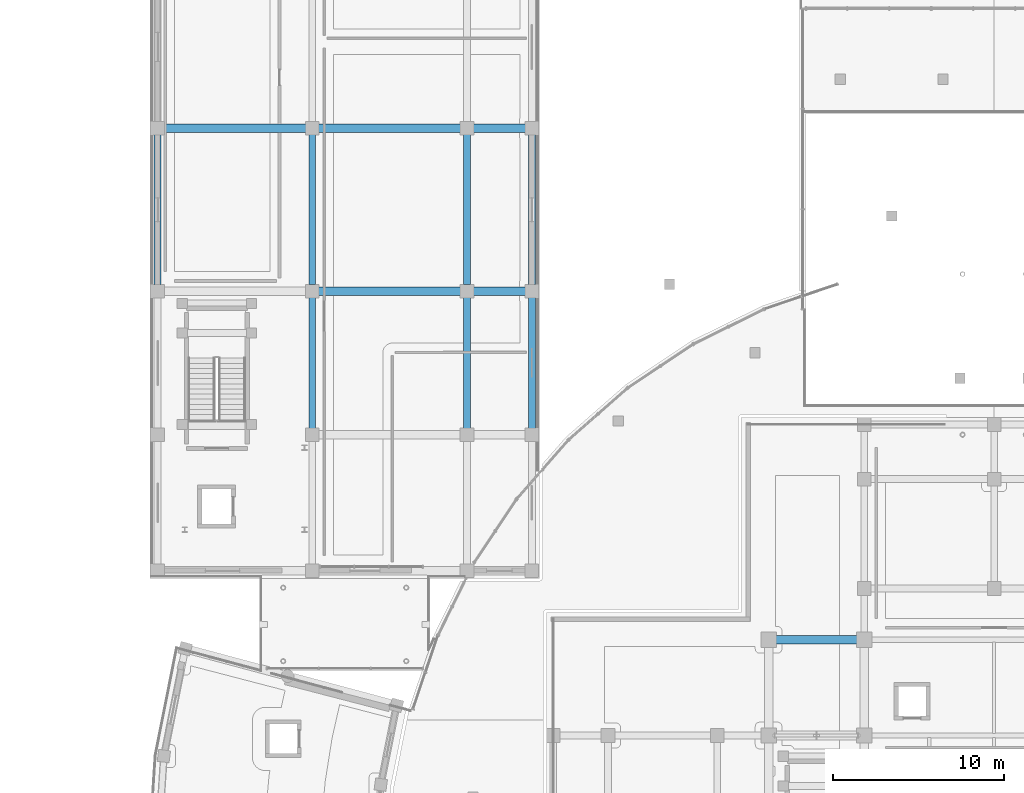
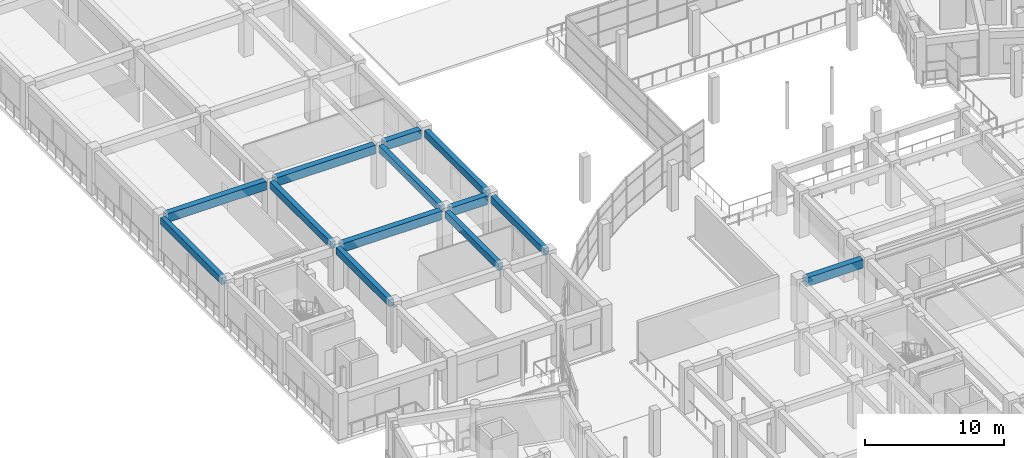
# One storey, part 29 of 87: 13 beams.
"""IFC4 building model written with IfcOpenShell, lengths in metres."""

import ifcopenshell
import ifcopenshell.guid

model = None  # the IFC model being written
_history = None  # IfcOwnerHistory: only IFC2X3 demands one
_inside = {}  # id of a spatial element -> (the spatial element, [elements in it])
_under = {}  # id of a project, library or spatial element -> (it, [spatial elements below it])
_declared = {}  # id of a project -> (the project, [libraries it declares])
_typed = {}  # id of a type object -> (the type object, [elements of that type])
_made_of = {}  # id of a material, layer set ... -> (it, [elements and type objects made of it])


def new_model(schema):
    """Start an empty IFC model of exactly this schema.

    Asked for "IFC4X3", IfcOpenShell would pick the latest addendum, in which some entities
    have other attributes; the version numbers below select the first issue.
    IFC2X3 requires an IfcOwnerHistory on every rooted entity: one is made here for all.
    """
    global model, _history
    if schema == "IFC4X3":
        model = ifcopenshell.file(schema_version=(4, 3, 0, 0))
    else:
        model = ifcopenshell.file(schema=schema)
    _inside.clear()
    _under.clear()
    _declared.clear()
    _typed.clear()
    _made_of.clear()
    _history = None
    if model.schema == "IFC2X3":
        org = make("IfcOrganization", Name="unknown")
        user = make(
            "IfcPersonAndOrganization",
            ThePerson=make("IfcPerson", FamilyName="unknown"),
            TheOrganization=org,
        )
        app = make(
            "IfcApplication",
            ApplicationDeveloper=org,
            Version="unknown",
            ApplicationFullName="unknown",
            ApplicationIdentifier="unknown",
        )
        _history = make(
            "IfcOwnerHistory",
            OwningUser=user,
            OwningApplication=app,
            ChangeAction="ADDED",
            CreationDate=0,
        )
    return model


def make(cls, **values):
    """One entity of the class cls with the attributes given. An attribute that is None is left unset."""
    return model.create_entity(
        cls, **{name: value for name, value in values.items() if value is not None}
    )


def rooted(cls, **values):
    """An entity with a GlobalId (a new one), such as an element, a storey or a relation."""
    return make(cls, GlobalId=ifcopenshell.guid.new(), OwnerHistory=_history, **values)


def si_unit(unit_type, name, prefix=None):
    """IfcSIUnit, for example si_unit("LENGTHUNIT", "METRE", prefix="MILLI")."""
    return make("IfcSIUnit", UnitType=unit_type, Prefix=prefix, Name=name)


def assignment(units):
    """IfcUnitAssignment: the units of a project."""
    return None if units is None else make("IfcUnitAssignment", Units=units)


def point(xyz):
    """IfcCartesianPoint."""
    return None if xyz is None else make("IfcCartesianPoint", Coordinates=xyz)


def direction(xyz):
    """IfcDirection."""
    return None if xyz is None else make("IfcDirection", DirectionRatios=xyz)


def frame(location, z_axis=None, x_axis=None):
    """IfcAxis2Placement3D, a coordinate frame: its origin and axes. An axis left out is left unset."""
    return make(
        "IfcAxis2Placement3D",
        Location=point(location),
        Axis=direction(z_axis),
        RefDirection=direction(x_axis),
    )


def frame_2d(location, x_axis=None):
    """IfcAxis2Placement2D, a coordinate frame in the plane: its origin and x axis."""
    return make(
        "IfcAxis2Placement2D", Location=point(location), RefDirection=direction(x_axis)
    )


def origin():
    """The frame at (0, 0, 0) with its axes left unset."""
    return frame((0.0, 0.0, 0.0))


def origin_2d():
    """The frame at (0, 0) in the plane with its x axis left unset."""
    return frame_2d((0.0, 0.0))


def place(relative_to, where):
    """IfcLocalPlacement: puts the frame where relative to a parent placement (None: the world)."""
    return make(
        "IfcLocalPlacement", PlacementRelTo=relative_to, RelativePlacement=where
    )


def context(
    kind, dimensions, precision=None, world=None, true_north=None, identifier=None
):
    """IfcGeometricRepresentationContext, for example the 3D "Model" context."""
    return make(
        "IfcGeometricRepresentationContext",
        ContextIdentifier=identifier,
        ContextType=kind,
        CoordinateSpaceDimension=dimensions,
        Precision=precision,
        WorldCoordinateSystem=world,
        TrueNorth=true_north,
    )


def subcontext(parent, identifier, kind, view, scale=None):
    """IfcGeometricRepresentationSubContext, for example "Body" below "Model"."""
    return make(
        "IfcGeometricRepresentationSubContext",
        ContextIdentifier=identifier,
        ContextType=kind,
        ParentContext=parent,
        TargetScale=scale,
        TargetView=view,
    )


def project(units=None, contexts=None):
    """IfcProject with its units and contexts."""
    return rooted(
        "IfcProject",
        Name="project",
        RepresentationContexts=contexts,
        UnitsInContext=assignment(units),
    )


def spatial(cls, under=None, at=None, **own):
    """A site, building, storey or space (cls), placed at a placement, below another one or the project."""
    s = rooted(cls, ObjectPlacement=at, **own)
    if under is not None:
        _under.setdefault(under.id(), (under, []))[1].append(s)
    return s


def profile(cls, at=None, kind="AREA", **sizes):
    """A parametric profile (cls). Its sizes go by their IFC names, for example OverallWidth=200.0."""
    return make(cls, ProfileType=kind, Position=at, **sizes)


def rectangle(**sizes):
    """IfcRectangleProfileDef."""
    return profile("IfcRectangleProfileDef", **sizes)


def extrude(swept, where, along, depth):
    """IfcExtrudedAreaSolid: the profile swept, set in the frame where, extruded along a direction by depth."""
    return make(
        "IfcExtrudedAreaSolid",
        SweptArea=swept,
        Position=where,
        ExtrudedDirection=direction(along),
        Depth=depth,
    )


def shape(context_of_items, identifier, shape_type, items):
    """IfcShapeRepresentation: the items that make up one representation, for example the "Body"."""
    return make(
        "IfcShapeRepresentation",
        ContextOfItems=context_of_items,
        RepresentationIdentifier=identifier,
        RepresentationType=shape_type,
        Items=items,
    )


def material(Name=None, Category=None):
    """IfcMaterial."""
    return make("IfcMaterial", Name=Name, Category=Category)


def material_profile(
    of_material, cross_section, Name=None, Category=None, Priority=None
):
    """IfcMaterialProfile: a cross section and its material."""
    return make(
        "IfcMaterialProfile",
        Name=Name,
        Material=of_material,
        Profile=cross_section,
        Priority=Priority,
        Category=Category,
    )


def profile_set(profiles, Name=None, composite=None):
    """IfcMaterialProfileSet."""
    return make(
        "IfcMaterialProfileSet",
        Name=Name,
        MaterialProfiles=profiles,
        CompositeProfile=composite,
    )


def made_of(thing, what):
    """Note that an element or type object is made of a material, layer set ...; save() writes the relation."""
    if what is not None:
        _made_of.setdefault(what.id(), (what, []))[1].append(thing)
    return thing


def type_object(cls, material=None, **own):
    """A type object (cls), such as IfcWallType, which elements share."""
    return made_of(rooted(cls, **own), material)


def element(
    cls,
    number,
    at=None,
    inside=None,
    cuts=None,
    type_object=None,
    material=None,
    context=None,
    identifier="Body",
    shape_type=None,
    held_by="IfcProductDefinitionShape",
    body=None,
    shapes=None,
    **own,
):
    """One element of the class cls, such as IfcWall. Its Tag is "e" and its number.

    at: its placement. inside: the storey or other place that contains it. cuts: it is an
    opening in that element (IfcRelVoidsElement). A single representation is given by context,
    identifier, shape_type and body (its items); several are given by shapes. held_by: the class
    of the entity that holds the representations. save() writes the other relations.
    """
    e = rooted(cls, Tag="e%d" % number, ObjectPlacement=at, **own)
    if body is not None:
        shapes = [shape(context, identifier, shape_type, body)]
    if shapes is not None:
        e.Representation = make(held_by, Representations=shapes)
    if inside is not None:
        _inside.setdefault(inside.id(), (inside, []))[1].append(e)
    if cuts is not None:
        rooted(
            "IfcRelVoidsElement", RelatingBuildingElement=cuts, RelatedOpeningElement=e
        )
    if type_object is not None:
        _typed.setdefault(type_object.id(), (type_object, []))[1].append(e)
    return made_of(e, material)


def aggregate(whole, parts):
    """IfcRelAggregates: a whole, such as a stair, and the parts it consists of."""
    return rooted("IfcRelAggregates", RelatingObject=whole, RelatedObjects=parts)


def save(model, path):
    """Write the relations noted so far, then the file.

    IfcRelAggregates (storeys below a building ...), IfcRelContainedInSpatialStructure (elements
    in a storey), IfcRelDefinesByType, IfcRelAssociatesMaterial and IfcRelDeclares: one each for
    every whole, place, type object, material and project.
    """
    for whole, parts in _under.values():
        aggregate(whole, parts)
    for where, things in _inside.values():
        rooted(
            "IfcRelContainedInSpatialStructure",
            RelatedElements=things,
            RelatingStructure=where,
        )
    for kind, things in _typed.values():
        rooted("IfcRelDefinesByType", RelatedObjects=things, RelatingType=kind)
    for what, things in _made_of.values():
        rooted("IfcRelAssociatesMaterial", RelatedObjects=things, RelatingMaterial=what)
    for by, libraries in _declared.values():
        rooted("IfcRelDeclares", RelatingContext=by, RelatedDefinitions=libraries)
    model.write(path)


model = new_model("IFC4")

# Units and contexts
model_context = context("Model", 3, precision=1e-05, world=origin(), true_north=direction((0.0, 1.0)))
body_context = subcontext(model_context, "Body", "Model", "MODEL_VIEW")
ifc_project = project(units=[si_unit("LENGTHUNIT", "METRE"), si_unit("AREAUNIT", "SQUARE_METRE"), si_unit("VOLUMEUNIT", "CUBIC_METRE"), si_unit("PLANEANGLEUNIT", "RADIAN"), si_unit("MASSUNIT", "GRAM", prefix="KILO")], contexts=[model_context])

# Site, building, storey
site_placement = place(None, origin())
site = spatial("IfcSite", under=ifc_project, at=site_placement, CompositionType="ELEMENT")
building_placement = place(site_placement, origin())
building = spatial("IfcBuilding", under=site, at=building_placement, Name="Saryqyr Civic Hall", CompositionType="ELEMENT")
storey_placement = place(building_placement, frame((0.0, 0.0, 5.10009765625)))
storey = spatial("IfcBuildingStorey", under=building, at=storey_placement, Name="L01", CompositionType="ELEMENT", Elevation=5.10009765625)

# Beams
ifc_material_1 = material(Name="Concrete C35/45", Category="concrete")
ifc_material_profile_1 = material_profile(ifc_material_1, rectangle(XDim=0.39990234375, YDim=0.60009765625, at=origin_2d()), Name="RC 400x600")
ifc_profile_set_1 = profile_set([ifc_material_profile_1], Name="Concrete C35/45")
beam_type_1 = type_object("IfcBeamType", Name="STR-BM-RC400x600", PredefinedType="BEAM", material=ifc_profile_set_1)
beam_1_placement = place(storey_placement, frame((8.050048828125, 117.97509765625, 3.469970703125), z_axis=(0.0, 1.0, 0.0), x_axis=(-1.0, 0.0, 0.0)))
element("IfcBeam", 1, at=beam_1_placement, inside=storey, type_object=beam_type_1, Name="Beam V3-BM-NS-1-3-L01", PredefinedType="BEAM", context=body_context, shape_type="SweptSolid", body=[
    extrude(rectangle(XDim=0.39990234375, YDim=0.60009765625, at=origin_2d()), origin(), (0.0, 0.0, 1.0), 8.77978515625),
])
beam_2_placement = place(storey_placement, frame((17.10009765625, 109.574951171875, 3.469970703125), z_axis=(0.0, 1.0, 0.0), x_axis=(-1.0, 0.0, 0.0)))
element("IfcBeam", 2, at=beam_2_placement, inside=storey, type_object=beam_type_1, Name="Beam V3-BM-NS-2-2-L01", PredefinedType="BEAM", context=body_context, shape_type="SweptSolid", body=[
    extrude(rectangle(XDim=0.39990234375, YDim=0.60009765625, at=origin_2d()), origin(), (0.0, 0.0, 1.0), 7.650146484375),
])
beam_3_placement = place(storey_placement, frame((17.10009765625, 117.97509765625, 3.469970703125), z_axis=(0.0, 1.0, 0.0), x_axis=(-1.0, 0.0, 0.0)))
element("IfcBeam", 3, at=beam_3_placement, inside=storey, type_object=beam_type_1, Name="Beam V3-BM-NS-2-3-L01", PredefinedType="BEAM", context=body_context, shape_type="SweptSolid", body=[
    extrude(rectangle(XDim=0.39990234375, YDim=0.60009765625, at=origin_2d()), origin(), (0.0, 0.0, 1.0), 8.77978515625),
])
beam_4_placement = place(storey_placement, frame((26.14990234375, 109.574951171875, 3.469970703125), z_axis=(0.0, 1.0, 0.0), x_axis=(-1.0, 0.0, 0.0)))
element("IfcBeam", 4, at=beam_4_placement, inside=storey, type_object=beam_type_1, Name="Beam V3-BM-NS-3-2-L01", PredefinedType="BEAM", context=body_context, shape_type="SweptSolid", body=[
    extrude(rectangle(XDim=0.39990234375, YDim=0.60009765625, at=origin_2d()), origin(), (0.0, 0.0, 1.0), 7.650146484375),
])
beam_5_placement = place(storey_placement, frame((26.14990234375, 117.97509765625, 3.469970703125), z_axis=(0.0, 1.0, 0.0), x_axis=(-1.0, 0.0, 0.0)))
element("IfcBeam", 5, at=beam_5_placement, inside=storey, type_object=beam_type_1, Name="Beam V3-BM-NS-3-3-L01", PredefinedType="BEAM", context=body_context, shape_type="SweptSolid", body=[
    extrude(rectangle(XDim=0.39990234375, YDim=0.60009765625, at=origin_2d()), origin(), (0.0, 0.0, 1.0), 8.77978515625),
])
beam_6_placement = place(storey_placement, frame((29.949951171875, 109.574951171875, 3.469970703125), z_axis=(0.0, 1.0, 0.0), x_axis=(-1.0, 0.0, 0.0)))
element("IfcBeam", 6, at=beam_6_placement, inside=storey, type_object=beam_type_1, Name="Beam V3-BM-NS-4-2-L01", PredefinedType="BEAM", context=body_context, shape_type="SweptSolid", body=[
    extrude(rectangle(XDim=0.39990234375, YDim=0.60009765625, at=origin_2d()), origin(), (0.0, 0.0, 1.0), 7.650146484375),
])
beam_7_placement = place(storey_placement, frame((29.949951171875, 117.97509765625, 3.469970703125), z_axis=(0.0, 1.0, 0.0), x_axis=(-1.0, 0.0, 0.0)))
element("IfcBeam", 7, at=beam_7_placement, inside=storey, type_object=beam_type_1, Name="Beam V3-BM-NS-4-3-L01", PredefinedType="BEAM", context=body_context, shape_type="SweptSolid", body=[
    extrude(rectangle(XDim=0.39990234375, YDim=0.60009765625, at=origin_2d()), origin(), (0.0, 0.0, 1.0), 8.77978515625),
])
ifc_material_2 = material(Name="Concrete C40/50", Category="concrete")
ifc_material_profile_2 = material_profile(ifc_material_2, rectangle(XDim=0.5, YDim=0.75, at=origin_2d()), Name="RC 500x750")
ifc_profile_set_2 = profile_set([ifc_material_profile_2], Name="Concrete C40/50")
beam_type_2 = type_object("IfcBeamType", Name="STR-BM-RC500x750", PredefinedType="BEAM", material=ifc_profile_set_2)
beam_8_placement = place(storey_placement, frame((44.22509765625, 97.199951171875, 3.39501953125), z_axis=(1.0, 0.0, 0.0), x_axis=(0.0, 1.0, 0.0)))
element("IfcBeam", 8, at=beam_8_placement, inside=storey, type_object=beam_type_2, Name="Beam V1-WBM-W4-L01", PredefinedType="BEAM", context=body_context, shape_type="SweptSolid", body=[
    extrude(rectangle(XDim=0.5, YDim=0.75, at=origin_2d()), origin(), (0.0, 0.0, 1.0), 4.75),
])
beam_9_placement = place(storey_placement, frame((17.47509765625, 117.60009765625, 3.39501953125), z_axis=(1.0, 0.0, 0.0), x_axis=(0.0, 1.0, 0.0)))
element("IfcBeam", 9, at=beam_9_placement, inside=storey, type_object=beam_type_2, Name="Beam V3-BM-EW-3-2-L01", PredefinedType="BEAM", context=body_context, shape_type="SweptSolid", body=[
    extrude(rectangle(XDim=0.5, YDim=0.75, at=origin_2d()), origin(), (0.0, 0.0, 1.0), 8.2998046875),
])
beam_10_placement = place(storey_placement, frame((26.52490234375, 117.60009765625, 3.39501953125), z_axis=(1.0, 0.0, 0.0), x_axis=(0.0, 1.0, 0.0)))
element("IfcBeam", 10, at=beam_10_placement, inside=storey, type_object=beam_type_2, Name="Beam V3-BM-EW-3-3-L01", PredefinedType="BEAM", context=body_context, shape_type="SweptSolid", body=[
    extrude(rectangle(XDim=0.5, YDim=0.75, at=origin_2d()), origin(), (0.0, 0.0, 1.0), 3.050048828125),
])
beam_11_placement = place(storey_placement, frame((8.425048828125, 127.1298828125, 3.39501953125), z_axis=(1.0, 0.0, 0.0), x_axis=(0.0, 1.0, 0.0)))
element("IfcBeam", 11, at=beam_11_placement, inside=storey, type_object=beam_type_2, Name="Beam V3-BM-EW-4-1-L01", PredefinedType="BEAM", context=body_context, shape_type="SweptSolid", body=[
    extrude(rectangle(XDim=0.5, YDim=0.75, at=origin_2d()), origin(), (0.0, 0.0, 1.0), 8.300048828125),
])
beam_12_placement = place(storey_placement, frame((17.47509765625, 127.1298828125, 3.39501953125), z_axis=(1.0, 0.0, 0.0), x_axis=(0.0, 1.0, 0.0)))
element("IfcBeam", 12, at=beam_12_placement, inside=storey, type_object=beam_type_2, Name="Beam V3-BM-EW-4-2-L01", PredefinedType="BEAM", context=body_context, shape_type="SweptSolid", body=[
    extrude(rectangle(XDim=0.5, YDim=0.75, at=origin_2d()), origin(), (0.0, 0.0, 1.0), 8.2998046875),
])
beam_13_placement = place(storey_placement, frame((26.52490234375, 127.1298828125, 3.39501953125), z_axis=(1.0, 0.0, 0.0), x_axis=(0.0, 1.0, 0.0)))
element("IfcBeam", 13, at=beam_13_placement, inside=storey, type_object=beam_type_2, Name="Beam V3-BM-EW-4-3-L01", PredefinedType="BEAM", context=body_context, shape_type="SweptSolid", body=[
    extrude(rectangle(XDim=0.5, YDim=0.75, at=origin_2d()), origin(), (0.0, 0.0, 1.0), 3.050048828125),
])

save(model, "model.ifc")
